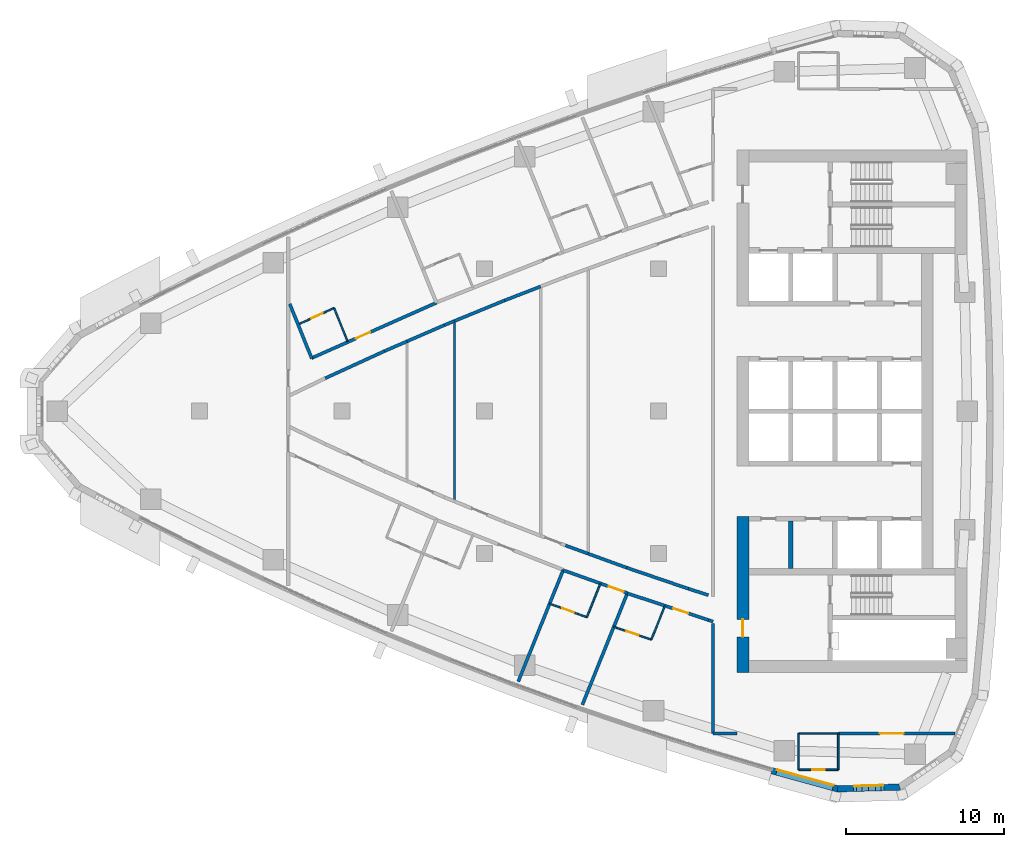
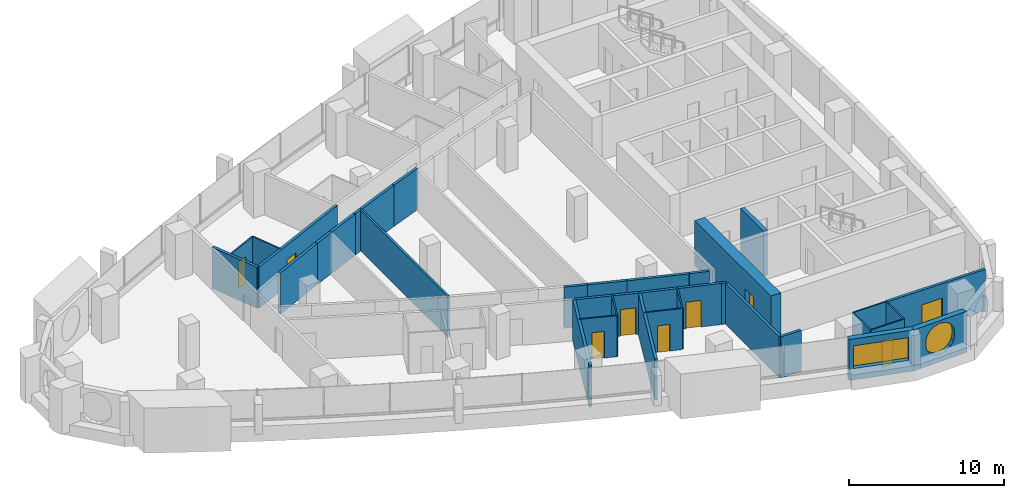
# One storey, part 10 of 17: 35 walls, 9 doors, 2 windows, 11 openings.
"""IFC4 building model written with IfcOpenShell, lengths in metres."""

from ifc_helpers import new_model, si_unit, direction, frame, frame_2d, origin, place, context, subcontext, project, spatial, polyline, rectangle, outline, extrude, material, layer, layer_set, type_object, element, fill, save


model = new_model("IFC4")

# Units and contexts
model_context = context("Model", 3, precision=1e-05, world=origin(), true_north=direction((0.0, 1.0)))
body_context = subcontext(model_context, "Body", "Model", "MODEL_VIEW")
ifc_project = project(units=[si_unit("LENGTHUNIT", "METRE"), si_unit("AREAUNIT", "SQUARE_METRE"), si_unit("VOLUMEUNIT", "CUBIC_METRE"), si_unit("PLANEANGLEUNIT", "RADIAN"), si_unit("MASSUNIT", "GRAM", prefix="KILO")], contexts=[model_context])

# Site, building, storey
site_placement = place(None, origin())
site = spatial("IfcSite", under=ifc_project, at=site_placement, CompositionType="ELEMENT")
building_placement = place(site_placement, origin())
building = spatial("IfcBuilding", under=site, at=building_placement, Name="Ostrand Prow Hotel Tower", CompositionType="ELEMENT")
storey_placement = place(building_placement, frame((0.0, 0.0, 179.050048828125)))
storey = spatial("IfcBuildingStorey", under=building, at=storey_placement, Name="L44", CompositionType="ELEMENT", Elevation=179.050048828125)

# Wall
ifc_material_1 = material(Name="Concrete C60/75", Category="concrete")
ifc_layer_1 = layer(ifc_material_1, 0.300048828125)
ifc_layer_set_1 = layer_set([ifc_layer_1], Name="Concrete C60/75")
wall_type_1 = type_object("IfcWallType", Name="Core wall 300 C60/75", PredefinedType="SHEAR", material=ifc_layer_set_1)
wall_1_placement = place(storey_placement, frame((53.35009765625, -9.949951171875, 0.0), z_axis=(0.0, 0.0, 1.0), x_axis=(0.0, 1.0, 0.0)))
element("IfcWall", 1, at=wall_1_placement, inside=storey, type_object=wall_type_1, Name="Core wall PW-R1-SA", PredefinedType="SHEAR", context=body_context, shape_type="SweptSolid", body=[
    extrude(rectangle(XDim=3.0, YDim=0.300048828125, at=frame_2d((1.5, 0.0))), origin(), (0.0, 0.0, 1.0), 3.550048828125),
])

# Wall, opening, door
ifc_material_2 = material(Name="Concrete C60/75", Category="concrete")
ifc_layer_2 = layer(ifc_material_2, 0.75)
ifc_layer_set_2 = layer_set([ifc_layer_2], Name="Concrete C60/75")
wall_type_2 = type_object("IfcWallType", Name="Core wall 750 C60/75", PredefinedType="SHEAR", material=ifc_layer_set_2)
wall_2_placement = place(storey_placement, frame((50.324951171875, -16.5, 0.0), z_axis=(0.0, 0.0, 1.0), x_axis=(0.0, 1.0, 0.0)))
wall_2 = element("IfcWall", 2, at=wall_2_placement, inside=storey, type_object=wall_type_2, Name="Core wall CW-W-S", PredefinedType="SHEAR", context=body_context, shape_type="SweptSolid", body=[
    extrude(rectangle(XDim=9.85009765625, YDim=0.75, at=frame_2d((4.925048828125, 0.0))), origin(), (0.0, 0.0, 1.0), 3.550048828125),
])
opening_1_placement = place(wall_2_placement, frame((2.25, 0.0, 0.0)))
opening_1 = element("IfcOpeningElement", 3, at=opening_1_placement, cuts=wall_2, Name="Opening FD1", PredefinedType="OPENING", context=body_context, shape_type="SweptSolid", body=[
    extrude(rectangle(XDim=1.10009765625, YDim=2.10009765625, at=frame_2d((0.550048828125, 1.050048828125))), frame((0.0, 0.385009765625, 0.0), z_axis=(0.0, -1.0, 0.0), x_axis=(1.0, 0.0, 0.0)), (0.0, 0.0, 1.0), 0.77001953125),
])
ifc_material_3 = material(Name="Steel fire door", Category="steel")
door_type_1 = type_object("IfcDoorType", Name="Fire door 1100 EI120", OperationType="SINGLE_SWING_RIGHT", PredefinedType="DOOR", material=ifc_material_3)
door_1_placement = place(opening_1_placement, origin())
door_1 = element("IfcDoor", 4, at=door_1_placement, inside=storey, type_object=door_type_1, Name="FIRE DOOR", OperationType="SINGLE_SWING_RIGHT", OverallHeight=2.10009765625, OverallWidth=1.10009765625, PredefinedType="DOOR", context=body_context, shape_type="SweptSolid", body=[
    extrude(rectangle(XDim=1.10009765625, YDim=2.10009765625, at=frame_2d((0.550048828125, 1.050048828125))), frame((0.0, 0.02490234375, 0.0), z_axis=(0.0, -1.0, 0.0), x_axis=(1.0, 0.0, 0.0)), (0.0, 0.0, 1.0), 0.050048828125),
])
fill(opening_1, door_1)

ifc_material_4 = material(Name="Plasterboard partition")
ifc_layer_3 = layer(ifc_material_4, 0.10009765625)
ifc_layer_set_3 = layer_set([ifc_layer_3], Name="Plasterboard partition")
wall_type_3 = type_object("IfcWallType", Name="Partition 100 bathroom wall", PredefinedType="PARTITIONING", material=ifc_layer_set_3)
wall_3_placement = place(storey_placement, frame((56.35009765625, -22.64990234375, 0.0), z_axis=(0.0, 0.0, 1.0), x_axis=(-1.0, 0.0, 0.0)))
wall_3 = element("IfcWall", 5, at=wall_3_placement, inside=storey, type_object=wall_type_3, Name="BATHROOM WALL", PredefinedType="PARTITIONING", context=body_context, shape_type="SweptSolid", body=[
    extrude(rectangle(XDim=2.5, YDim=0.10009765625, at=frame_2d((1.25, 0.0))), origin(), (0.0, 0.0, 1.0), 3.25),
])
opening_2_placement = place(wall_3_placement, frame((0.85009765625, 0.0, 0.0)))
opening_2 = element("IfcOpeningElement", 6, at=opening_2_placement, cuts=wall_3, Name="Opening D2", PredefinedType="OPENING", context=body_context, shape_type="SweptSolid", body=[
    extrude(rectangle(XDim=0.800048828125, YDim=2.10009765625, at=frame_2d((0.39990234375, 1.050048828125))), frame((0.0, 0.06005859375, 0.0), z_axis=(0.0, -1.0, 0.0), x_axis=(1.0, 0.0, 0.0)), (0.0, 0.0, 1.0), 0.1201171875),
])
ifc_material_5 = material(Name="Timber door leaf", Category="wood")
door_type_2 = type_object("IfcDoorType", Name="Bathroom door 800", OperationType="SINGLE_SWING_LEFT", PredefinedType="DOOR", material=ifc_material_5)
door_2_placement = place(opening_2_placement, origin())
door_2 = element("IfcDoor", 7, at=door_2_placement, inside=storey, type_object=door_type_2, Name="DOOR", OperationType="SINGLE_SWING_LEFT", OverallHeight=2.10009765625, OverallWidth=0.800048828125, PredefinedType="DOOR", context=body_context, shape_type="SweptSolid", body=[
    extrude(rectangle(XDim=0.800048828125, YDim=2.10009765625, at=frame_2d((0.39990234375, 1.050048828125))), frame((0.0, 0.02490234375, 0.0), z_axis=(0.0, -1.0, 0.0), x_axis=(1.0, 0.0, 0.0)), (0.0, 0.0, 1.0), 0.050048828125),
])
fill(opening_2, door_2)

# Walls
for number, where, z_axis, x_axis, name in (
    (8, (53.85009765625, -22.64990234375, 0.0), (0.0, 0.0, 1.0), (0.0, 1.0, 0.0), "BATHROOM WALL"),
    (9, (56.35009765625, -20.35009765625, 0.0), (0.0, 0.0, 1.0), (0.0, -1.0, 0.0), "BATHROOM WALL"),
):
    element("IfcWall", number, at=place(storey_placement, frame(where, z_axis=z_axis, x_axis=x_axis)), inside=storey, type_object=wall_type_3, Name=name, PredefinedType="PARTITIONING", context=body_context, shape_type="SweptSolid", body=[
        extrude(rectangle(XDim=2.2998046875, YDim=0.10009765625, at=frame_2d((1.14990234375, 0.0))), origin(), (0.0, 0.0, 1.0), 3.25),
    ])

# Wall, opening, door
wall_4_placement = place(storey_placement, frame((22.32958984375, 5.518310546875, 0.0), z_axis=(0.0, 0.0, 1.0), x_axis=(0.909209708064, 0.416338452178, 0.0)))
wall_4 = element("IfcWall", 10, at=wall_4_placement, inside=storey, type_object=wall_type_3, Name="BATHROOM WALL", PredefinedType="PARTITIONING", context=body_context, shape_type="SweptSolid", body=[
    extrude(rectangle(XDim=2.392578125, YDim=0.10009765625, at=frame_2d((1.1962890625, 0.0))), origin(), (0.0, 0.0, 1.0), 3.25),
])
opening_3_placement = place(wall_4_placement, frame((0.800048828125, 0.0, 0.0)))
opening_3 = element("IfcOpeningElement", 11, at=opening_3_placement, cuts=wall_4, Name="Opening D2", PredefinedType="OPENING", context=body_context, shape_type="SweptSolid", body=[
    extrude(rectangle(XDim=0.800048828125, YDim=2.10009765625, at=frame_2d((0.39990234375, 1.050048828125))), frame((0.0, 0.06005859375, 0.0), z_axis=(0.0, -1.0, 0.0), x_axis=(1.0, 0.0, 0.0)), (0.0, 0.0, 1.0), 0.1201171875),
])
door_3_placement = place(opening_3_placement, origin())
door_3 = element("IfcDoor", 12, at=door_3_placement, inside=storey, type_object=door_type_2, Name="DOOR", OperationType="SINGLE_SWING_LEFT", OverallHeight=2.10009765625, OverallWidth=0.800048828125, PredefinedType="DOOR", context=body_context, shape_type="SweptSolid", body=[
    extrude(rectangle(XDim=0.800048828125, YDim=2.10009765625, at=frame_2d((0.39990234375, 1.050048828125))), frame((0.0, 0.02490234375, 0.0), z_axis=(0.0, -1.0, 0.0), x_axis=(1.0, 0.0, 0.0)), (0.0, 0.0, 1.0), 0.050048828125),
])
fill(opening_3, door_3)

# Walls
wall_5_placement = place(storey_placement, frame((24.5048828125, 6.514404296875, 0.0), z_axis=(0.0, 0.0, 1.0), x_axis=(0.373919298041, -0.927461243693, 0.0)))
element("IfcWall", 13, at=wall_5_placement, inside=storey, type_object=wall_type_3, Name="BATHROOM WALL", PredefinedType="PARTITIONING", context=body_context, shape_type="SweptSolid", body=[
    extrude(rectangle(XDim=2.279296875, YDim=0.10009765625, at=frame_2d((1.1396484375, 0.0))), origin(), (0.0, 0.0, 1.0), 3.25),
])
wall_6_placement = place(storey_placement, frame((41.322021484375, -10.90283203125, 0.0), z_axis=(0.0, 0.0, 1.0), x_axis=(-0.373846436826, -0.927490615409, 0.0)))
element("IfcWall", 14, at=wall_6_placement, inside=storey, type_object=wall_type_3, Name="BATHROOM WALL", PredefinedType="PARTITIONING", context=body_context, shape_type="SweptSolid", body=[
    extrude(rectangle(XDim=2.278564453125, YDim=0.10009765625, at=frame_2d((1.13916015625, 0.0))), origin(), (0.0, 0.0, 1.0), 3.25),
])

# Wall, opening, door
wall_7_placement = place(storey_placement, frame((40.47021484375, -13.01611328125, 0.0), z_axis=(0.0, 0.0, 1.0), x_axis=(-0.939744972593, 0.341876273652, 0.0)))
wall_7 = element("IfcWall", 15, at=wall_7_placement, inside=storey, type_object=wall_type_3, Name="BATHROOM WALL", PredefinedType="PARTITIONING", context=body_context, shape_type="SweptSolid", body=[
    extrude(rectangle(XDim=2.50146484375, YDim=0.10009765625, at=frame_2d((1.250732421875, 0.0))), origin(), (0.0, 0.0, 1.0), 3.25),
])
opening_4_placement = place(wall_7_placement, frame((0.85009765625, 0.0, 0.0)))
opening_4 = element("IfcOpeningElement", 16, at=opening_4_placement, cuts=wall_7, Name="Opening D2", PredefinedType="OPENING", context=body_context, shape_type="SweptSolid", body=[
    extrude(rectangle(XDim=0.800048828125, YDim=2.10009765625, at=frame_2d((0.39990234375, 1.050048828125))), frame((0.0, 0.06005859375, 0.0), z_axis=(0.0, -1.0, 0.0), x_axis=(1.0, 0.0, 0.0)), (0.0, 0.0, 1.0), 0.1201171875),
])
door_4_placement = place(opening_4_placement, origin())
door_4 = element("IfcDoor", 17, at=door_4_placement, inside=storey, type_object=door_type_2, Name="DOOR", OperationType="SINGLE_SWING_LEFT", OverallHeight=2.10009765625, OverallWidth=0.800048828125, PredefinedType="DOOR", context=body_context, shape_type="SweptSolid", body=[
    extrude(rectangle(XDim=0.800048828125, YDim=2.10009765625, at=frame_2d((0.39990234375, 1.050048828125))), frame((0.0, 0.02490234375, 0.0), z_axis=(0.0, -1.0, 0.0), x_axis=(1.0, 0.0, 0.0)), (0.0, 0.0, 1.0), 0.050048828125),
])
fill(opening_4, door_4)

# Wall
wall_8_placement = place(storey_placement, frame((45.39453125, -12.318359375, 0.0), z_axis=(0.0, 0.0, 1.0), x_axis=(-0.373917841166, -0.927461831052, 0.0)))
element("IfcWall", 18, at=wall_8_placement, inside=storey, type_object=wall_type_3, Name="BATHROOM WALL", PredefinedType="PARTITIONING", context=body_context, shape_type="SweptSolid", body=[
    extrude(rectangle(XDim=2.28076171875, YDim=0.10009765625, at=frame_2d((1.140380859375, 0.0))), origin(), (0.0, 0.0, 1.0), 3.25),
])

# Wall, opening, door
wall_9_placement = place(storey_placement, frame((44.541748046875, -14.43359375, 0.0), z_axis=(0.0, 0.0, 1.0), x_axis=(-0.946406575113, 0.322977699822, 0.0)))
wall_9 = element("IfcWall", 19, at=wall_9_placement, inside=storey, type_object=wall_type_3, Name="BATHROOM WALL", PredefinedType="PARTITIONING", context=body_context, shape_type="SweptSolid", body=[
    extrude(rectangle(XDim=2.503662109375, YDim=0.10009765625, at=frame_2d((1.251953125, 0.0))), origin(), (0.0, 0.0, 1.0), 3.25),
])
opening_5_placement = place(wall_9_placement, frame((0.85009765625, 0.0, 0.0)))
opening_5 = element("IfcOpeningElement", 20, at=opening_5_placement, cuts=wall_9, Name="Opening D2", PredefinedType="OPENING", context=body_context, shape_type="SweptSolid", body=[
    extrude(rectangle(XDim=0.800048828125, YDim=2.10009765625, at=frame_2d((0.39990234375, 1.050048828125))), frame((0.0, 0.06005859375, 0.0), z_axis=(0.0, -1.0, 0.0), x_axis=(1.0, 0.0, 0.0)), (0.0, 0.0, 1.0), 0.1201171875),
])
door_5_placement = place(opening_5_placement, origin())
door_5 = element("IfcDoor", 21, at=door_5_placement, inside=storey, type_object=door_type_2, Name="DOOR", OperationType="SINGLE_SWING_LEFT", OverallHeight=2.10009765625, OverallWidth=0.800048828125, PredefinedType="DOOR", context=body_context, shape_type="SweptSolid", body=[
    extrude(rectangle(XDim=0.800048828125, YDim=2.10009765625, at=frame_2d((0.39990234375, 1.050048828125))), frame((0.0, 0.02490234375, 0.0), z_axis=(0.0, -1.0, 0.0), x_axis=(1.0, 0.0, 0.0)), (0.0, 0.0, 1.0), 0.050048828125),
])
fill(opening_5, door_5)

# Walls
wall_10_placement = place(storey_placement, frame((53.85009765625, -20.35498046875, 0.0), z_axis=(0.0, 0.0, 1.0), x_axis=(1.0, 0.0, 0.0)))
element("IfcWall", 22, at=wall_10_placement, inside=storey, type_object=wall_type_3, Name="BATHROOM WALL", PredefinedType="PARTITIONING", context=body_context, shape_type="SweptSolid", body=[
    extrude(rectangle(XDim=2.5, YDim=0.10009765625, at=frame_2d((1.25, 0.0))), origin(), (0.0, 0.0, 1.0), 3.25),
])
ifc_material_6 = material(Name="Plasterboard partition")
ifc_layer_4 = layer(ifc_material_6, 0.14990234375)
ifc_layer_set_4 = layer_set([ifc_layer_4], Name="Plasterboard partition")
wall_type_4 = type_object("IfcWallType", Name="Partition 150 room partition", PredefinedType="PARTITIONING", material=ifc_layer_set_4)
wall_11_placement = place(storey_placement, frame((32.11328125, -5.697265625, 0.0), z_axis=(0.0, 0.0, 1.0), x_axis=(0.0, 1.0, 0.0)))
element("IfcWall", 23, at=wall_11_placement, inside=storey, type_object=wall_type_4, Name="ROOM PARTITION", PredefinedType="PARTITIONING", context=body_context, shape_type="SweptSolid", body=[
    extrude(rectangle(XDim=11.39453125, YDim=0.14990234375, at=frame_2d((5.697265625, 0.0))), origin(), (0.0, 0.0, 1.0), 3.25),
])

# Wall, opening, door
ifc_material_7 = material(Name="Plasterboard partition")
ifc_layer_5 = layer(ifc_material_7, 0.199951171875)
ifc_layer_set_5 = layer_set([ifc_layer_5], Name="Plasterboard partition")
wall_type_5 = type_object("IfcWallType", Name="Partition 200 corridor wall", PredefinedType="PARTITIONING", material=ifc_layer_set_5)
wall_12_placement = place(storey_placement, frame((23.084716796875, 3.35107421875, 0.0), z_axis=(0.0, 0.0, 1.0), x_axis=(0.914065936171, 0.405565610392, 0.0)))
wall_12 = element("IfcWall", 24, at=wall_12_placement, inside=storey, type_object=wall_type_5, Name="CORRIDOR WALL", PredefinedType="PARTITIONING", context=body_context, shape_type="SweptSolid", body=[
    extrude(rectangle(XDim=8.62158203125, YDim=0.199951171875, at=frame_2d((4.310791015625, 0.0))), origin(), (0.0, 0.0, 1.0), 3.25),
])
opening_6_placement = place(wall_12_placement, frame((3.050048828125, 0.0, 0.0)))
opening_6 = element("IfcOpeningElement", 25, at=opening_6_placement, cuts=wall_12, Name="Opening D1R", PredefinedType="OPENING", context=body_context, shape_type="SweptSolid", body=[
    extrude(rectangle(XDim=1.0, YDim=2.10009765625, at=frame_2d((0.5, 1.050048828125))), frame((0.0, 0.10986328125, 0.0), z_axis=(0.0, -1.0, 0.0), x_axis=(1.0, 0.0, 0.0)), (0.0, 0.0, 1.0), 0.219970703125),
])
ifc_material_8 = material(Name="Timber door leaf", Category="wood")
door_type_3 = type_object("IfcDoorType", Name="Guest room door 1000 right", OperationType="SINGLE_SWING_RIGHT", PredefinedType="DOOR", material=ifc_material_8)
door_6_placement = place(opening_6_placement, origin())
door_6 = element("IfcDoor", 26, at=door_6_placement, inside=storey, type_object=door_type_3, Name="DOOR", OperationType="SINGLE_SWING_RIGHT", OverallHeight=2.10009765625, OverallWidth=1.0, PredefinedType="DOOR", context=body_context, shape_type="SweptSolid", body=[
    extrude(rectangle(XDim=1.0, YDim=2.10009765625, at=frame_2d((0.5, 1.050048828125))), frame((0.0, 0.02490234375, 0.0), z_axis=(0.0, -1.0, 0.0), x_axis=(1.0, 0.0, 0.0)), (0.0, 0.0, 1.0), 0.050048828125),
])
fill(opening_6, door_6)

wall_13_placement = place(storey_placement, frame((38.972412109375, -10.044921875, 0.0), z_axis=(0.0, 0.0, 1.0), x_axis=(0.942220252757, -0.334994022773, 0.0)))
wall_13 = element("IfcWall", 27, at=wall_13_placement, inside=storey, type_object=wall_type_5, Name="CORRIDOR WALL", PredefinedType="PARTITIONING", context=body_context, shape_type="SweptSolid", body=[
    extrude(rectangle(XDim=4.31005859375, YDim=0.199951171875, at=frame_2d((2.155029296875, 0.0))), origin(), (0.0, 0.0, 1.0), 3.25),
])
opening_7_placement = place(wall_13_placement, frame((3.050048828125, 0.0, 0.0)))
opening_7 = element("IfcOpeningElement", 28, at=opening_7_placement, cuts=wall_13, Name="Opening D1", PredefinedType="OPENING", context=body_context, shape_type="SweptSolid", body=[
    extrude(rectangle(XDim=1.0, YDim=2.10009765625, at=frame_2d((0.5, 1.050048828125))), frame((0.0, 0.10986328125, 0.0), z_axis=(0.0, -1.0, 0.0), x_axis=(1.0, 0.0, 0.0)), (0.0, 0.0, 1.0), 0.219970703125),
])
ifc_material_9 = material(Name="Timber door leaf", Category="wood")
door_type_4 = type_object("IfcDoorType", Name="Guest room door 1000", OperationType="SINGLE_SWING_LEFT", PredefinedType="DOOR", material=ifc_material_9)
door_7_placement = place(opening_7_placement, origin())
door_7 = element("IfcDoor", 29, at=door_7_placement, inside=storey, type_object=door_type_4, Name="DOOR", OperationType="SINGLE_SWING_LEFT", OverallHeight=2.10009765625, OverallWidth=1.0, PredefinedType="DOOR", context=body_context, shape_type="SweptSolid", body=[
    extrude(rectangle(XDim=1.0, YDim=2.10009765625, at=frame_2d((0.5, 1.050048828125))), frame((0.0, 0.02490234375, 0.0), z_axis=(0.0, -1.0, 0.0), x_axis=(1.0, 0.0, 0.0)), (0.0, 0.0, 1.0), 0.050048828125),
])
fill(opening_7, door_7)

# Walls
wall_14_placement = place(storey_placement, frame((23.946533203125, 2.0791015625, 0.0), z_axis=(0.0, 0.0, 1.0), x_axis=(0.909180834404, 0.416401501382, 0.0)))
element("IfcWall", 30, at=wall_14_placement, inside=storey, type_object=wall_type_5, Name="CORRIDOR WALL", PredefinedType="PARTITIONING", context=body_context, shape_type="SweptSolid", body=[
    extrude(rectangle(XDim=4.1171875, YDim=0.199951171875, at=frame_2d((2.05859375, 0.0))), origin(), (0.0, 0.0, 1.0), 3.25),
])
wall_15_placement = place(storey_placement, frame((27.689697265625, 3.79345703125, 0.0), z_axis=(0.0, 0.0, 1.0), x_axis=(0.917369942083, 0.398035663431, 0.0)))
element("IfcWall", 31, at=wall_15_placement, inside=storey, type_object=wall_type_5, Name="CORRIDOR WALL", PredefinedType="PARTITIONING", context=body_context, shape_type="SweptSolid", body=[
    extrude(rectangle(XDim=1.5517578125, YDim=0.199951171875, at=frame_2d((0.77587890625, 0.0))), origin(), (0.0, 0.0, 1.0), 3.25),
])
wall_16_placement = place(storey_placement, frame((29.11328125, 4.4111328125, 0.0), z_axis=(0.0, 0.0, 1.0), x_axis=(0.91737845263, 0.398016048231, 0.0)))
element("IfcWall", 32, at=wall_16_placement, inside=storey, type_object=wall_type_5, Name="CORRIDOR WALL", PredefinedType="PARTITIONING", context=body_context, shape_type="SweptSolid", body=[
    extrude(rectangle(XDim=2.565185546875, YDim=0.199951171875, at=frame_2d((1.28271484375, 0.0))), origin(), (0.0, 0.0, 1.0), 3.25),
])
wall_17_placement = place(storey_placement, frame((31.466552734375, 5.43212890625, 0.0), z_axis=(0.0, 0.0, 1.0), x_axis=(0.92526293873, 0.379326368992, 0.0)))
element("IfcWall", 33, at=wall_17_placement, inside=storey, type_object=wall_type_5, Name="CORRIDOR WALL", PredefinedType="PARTITIONING", context=body_context, shape_type="SweptSolid", body=[
    extrude(rectangle(XDim=0.698974609375, YDim=0.199951171875, at=frame_2d((0.349609375, 0.0))), origin(), (0.0, 0.0, 1.0), 3.25),
])
wall_18_placement = place(storey_placement, frame((35.275634765625, 6.994384765625, 0.0), z_axis=(0.0, 0.0, 1.0), x_axis=(0.932674754549, 0.36071845285, 0.0)))
element("IfcWall", 34, at=wall_18_placement, inside=storey, type_object=wall_type_5, Name="CORRIDOR WALL", PredefinedType="PARTITIONING", context=body_context, shape_type="SweptSolid", body=[
    extrude(rectangle(XDim=2.435302734375, YDim=0.199951171875, at=frame_2d((1.2177734375, 0.0))), origin(), (0.0, 0.0, 1.0), 3.25),
])
wall_19_placement = place(storey_placement, frame((32.11328125, 5.697265625, 0.0), z_axis=(0.0, 0.0, 1.0), x_axis=(0.925194984271, 0.379492083026, 0.0)))
element("IfcWall", 35, at=wall_19_placement, inside=storey, type_object=wall_type_5, Name="CORRIDOR WALL", PredefinedType="PARTITIONING", context=body_context, shape_type="SweptSolid", body=[
    extrude(rectangle(XDim=3.41796875, YDim=0.199951171875, at=frame_2d((1.708984375, 0.0))), origin(), (0.0, 0.0, 1.0), 3.25),
])
wall_20_placement = place(storey_placement, frame((40.546875, -9.000244140625, 0.0), z_axis=(0.0, 0.0, 1.0), x_axis=(-0.939741934926, 0.341884623435, 0.0)))
element("IfcWall", 36, at=wall_20_placement, inside=storey, type_object=wall_type_5, Name="CORRIDOR WALL", PredefinedType="PARTITIONING", context=body_context, shape_type="SweptSolid", body=[
    extrude(rectangle(XDim=1.523193359375, YDim=0.199951171875, at=frame_2d((0.76171875, 0.0))), origin(), (0.0, 0.0, 1.0), 3.25),
])
wall_21_placement = place(storey_placement, frame((46.880859375, -11.216552734375, 0.0), z_axis=(0.0, 0.0, 1.0), x_axis=(-0.946436071896, 0.322891253852, 0.0)))
element("IfcWall", 37, at=wall_21_placement, inside=storey, type_object=wall_type_5, Name="CORRIDOR WALL", PredefinedType="PARTITIONING", context=body_context, shape_type="SweptSolid", body=[
    extrude(rectangle(XDim=4.116943359375, YDim=0.199951171875, at=frame_2d((2.05859375, 0.0))), origin(), (0.0, 0.0, 1.0), 3.25),
])
wall_22_placement = place(storey_placement, frame((42.984375, -9.88720703125, 0.0), z_axis=(0.0, 0.0, 1.0), x_axis=(-0.939719202565, 0.341947101655, 0.0)))
element("IfcWall", 38, at=wall_22_placement, inside=storey, type_object=wall_type_5, Name="CORRIDOR WALL", PredefinedType="PARTITIONING", context=body_context, shape_type="SweptSolid", body=[
    extrude(rectangle(XDim=2.59375, YDim=0.199951171875, at=frame_2d((1.296875, 0.0))), origin(), (0.0, 0.0, 1.0), 3.25),
])

# Wall, opening, door
wall_23_placement = place(storey_placement, frame((56.35498046875, -20.35498046875, 0.0), z_axis=(0.0, 0.0, 1.0), x_axis=(1.0, 0.0, 0.0)))
wall_23 = element("IfcWall", 39, at=wall_23_placement, inside=storey, type_object=wall_type_5, Name="CORRIDOR WALL", PredefinedType="PARTITIONING", context=body_context, shape_type="SweptSolid", body=[
    extrude(rectangle(XDim=7.3544921875, YDim=0.199951171875, at=frame_2d((3.67724609375, 0.0))), origin(), (0.0, 0.0, 1.0), 3.25),
])
opening_8_placement = place(wall_23_placement, frame((2.623779296875, 0.0, 0.0)))
opening_8 = element("IfcOpeningElement", 40, at=opening_8_placement, cuts=wall_23, Name="Opening D15", PredefinedType="OPENING", context=body_context, shape_type="SweptSolid", body=[
    extrude(rectangle(XDim=1.5, YDim=2.10009765625, at=frame_2d((0.75, 1.050048828125))), frame((0.0, 0.10986328125, 0.0), z_axis=(0.0, -1.0, 0.0), x_axis=(1.0, 0.0, 0.0)), (0.0, 0.0, 1.0), 0.219970703125),
])
ifc_material_10 = material(Name="Timber door leaf", Category="wood")
door_type_5 = type_object("IfcDoorType", Name="Double door 1500", OperationType="DOUBLE_DOOR_SINGLE_SWING", PredefinedType="DOOR", material=ifc_material_10)
door_8_placement = place(opening_8_placement, origin())
door_8 = element("IfcDoor", 41, at=door_8_placement, inside=storey, type_object=door_type_5, Name="DOOR", OperationType="DOUBLE_DOOR_SINGLE_SWING", OverallHeight=2.10009765625, OverallWidth=1.5, PredefinedType="DOOR", context=body_context, shape_type="SweptSolid", body=[
    extrude(rectangle(XDim=1.5, YDim=2.10009765625, at=frame_2d((0.75, 1.050048828125))), frame((0.0, 0.02490234375, 0.0), z_axis=(0.0, -1.0, 0.0), x_axis=(1.0, 0.0, 0.0)), (0.0, 0.0, 1.0), 0.050048828125),
])
fill(opening_8, door_8)

wall_24_placement = place(storey_placement, frame((43.02587890625, -11.50732421875, 0.0), z_axis=(0.0, 0.0, 1.0), x_axis=(0.949951949432, -0.312396052744, 0.0)))
wall_24 = element("IfcWall", 42, at=wall_24_placement, inside=storey, type_object=wall_type_5, Name="CORRIDOR WALL", PredefinedType="PARTITIONING", context=body_context, shape_type="SweptSolid", body=[
    extrude(rectangle(XDim=5.39404296875, YDim=0.199951171875, at=frame_2d((2.697021484375, 0.0))), origin(), (0.0, 0.0, 1.0), 3.25),
])
opening_9_placement = place(wall_24_placement, frame((3.050048828125, 0.0, 0.0)))
opening_9 = element("IfcOpeningElement", 43, at=opening_9_placement, cuts=wall_24, Name="Opening D1", PredefinedType="OPENING", context=body_context, shape_type="SweptSolid", body=[
    extrude(rectangle(XDim=1.0, YDim=2.10009765625, at=frame_2d((0.5, 1.050048828125))), frame((0.0, 0.10986328125, 0.0), z_axis=(0.0, -1.0, 0.0), x_axis=(1.0, 0.0, 0.0)), (0.0, 0.0, 1.0), 0.219970703125),
])
door_9_placement = place(opening_9_placement, origin())
door_9 = element("IfcDoor", 44, at=door_9_placement, inside=storey, type_object=door_type_4, Name="DOOR", OperationType="SINGLE_SWING_LEFT", OverallHeight=2.10009765625, OverallWidth=1.0, PredefinedType="DOOR", context=body_context, shape_type="SweptSolid", body=[
    extrude(rectangle(XDim=1.0, YDim=2.10009765625, at=frame_2d((0.5, 1.050048828125))), frame((0.0, 0.02490234375, 0.0), z_axis=(0.0, -1.0, 0.0), x_axis=(1.0, 0.0, 0.0)), (0.0, 0.0, 1.0), 0.050048828125),
])
fill(opening_9, door_9)

# Walls
wall_25_placement = place(storey_placement, frame((48.14990234375, -11.62109375, 0.0), z_axis=(0.0, 0.0, 1.0), x_axis=(-0.952761948983, 0.303718074157, 0.0)))
element("IfcWall", 45, at=wall_25_placement, inside=storey, type_object=wall_type_5, Name="CORRIDOR WALL", PredefinedType="PARTITIONING", context=body_context, shape_type="SweptSolid", body=[
    extrude(rectangle(XDim=1.33203125, YDim=0.199951171875, at=frame_2d((0.666015625, 0.0))), origin(), (0.0, 0.0, 1.0), 3.25),
])
wall_26_placement = place(storey_placement, frame((48.14990234375, -13.1923828125, 0.0), z_axis=(0.0, 0.0, 1.0), x_axis=(0.944623214561, -0.328156947987, 0.0)))
element("IfcWall", 46, at=wall_26_placement, inside=storey, type_object=wall_type_5, Name="CORRIDOR WALL", PredefinedType="PARTITIONING", context=body_context, shape_type="SweptSolid", body=[
    extrude(rectangle(XDim=0.3125, YDim=0.199951171875, at=frame_2d((0.15625, 0.0))), origin(), (0.0, 0.0, 1.0), 3.25),
])
wall_27_placement = place(storey_placement, frame((48.445068359375, -13.414794921875, 0.0), z_axis=(0.0, 0.0, 1.0), x_axis=(3.5195157e-05, -0.999999999381, 0.0)))
element("IfcWall", 47, at=wall_27_placement, inside=storey, type_object=wall_type_5, Name="CORRIDOR WALL", PredefinedType="PARTITIONING", context=body_context, shape_type="SweptSolid", body=[
    extrude(rectangle(XDim=6.936767578125, YDim=0.199951171875, at=frame_2d((3.46826171875, 0.0))), origin(), (0.0, 0.0, 1.0), 3.25),
])
wall_28_placement = place(storey_placement, frame((48.4453125, -20.3515625, 0.0), z_axis=(0.0, 0.0, 1.0), x_axis=(0.999997403051, -0.002279010849, 0.0)))
element("IfcWall", 48, at=wall_28_placement, inside=storey, type_object=wall_type_5, Name="CORRIDOR WALL", PredefinedType="PARTITIONING", context=body_context, shape_type="SweptSolid", body=[
    extrude(rectangle(XDim=1.499755859375, YDim=0.199951171875, at=frame_2d((0.75, 0.0))), origin(), (0.0, 0.0, 1.0), 3.25),
])
ifc_material_11 = material(Name="Plasterboard partition")
ifc_layer_6 = layer(ifc_material_11, 0.199951171875)
ifc_layer_set_6 = layer_set([ifc_layer_6], Name="Plasterboard partition")
wall_type_6 = type_object("IfcWallType", Name="Partition 200 key partition", PredefinedType="PARTITIONING", material=ifc_layer_set_6)
wall_29_placement = place(storey_placement, frame((23.09228515625, 3.33251953125, 0.0), z_axis=(0.0, 0.0, 1.0), x_axis=(-0.373883495288, 0.927475677283, 0.0)))
element("IfcWall", 49, at=wall_29_placement, inside=storey, type_object=wall_type_6, Name="KEY PARTITION", PredefinedType="PARTITIONING", context=body_context, shape_type="SweptSolid", body=[
    extrude(rectangle(XDim=3.712890625, YDim=0.199951171875, at=frame_2d((1.8564453125, 0.0))), origin(), (0.0, 0.0, 1.0), 3.25),
])
wall_30_placement = place(storey_placement, frame((36.13671875, -17.079345703125, 0.0), z_axis=(0.0, 0.0, 1.0), x_axis=(0.373863662938, 0.927483671843, 0.0)))
element("IfcWall", 50, at=wall_30_placement, inside=storey, type_object=wall_type_6, Name="KEY PARTITION", PredefinedType="PARTITIONING", context=body_context, shape_type="SweptSolid", body=[
    extrude(rectangle(XDim=7.6044921875, YDim=0.199951171875, at=frame_2d((3.80224609375, 0.0))), origin(), (0.0, 0.0, 1.0), 3.25),
])
wall_31_placement = place(storey_placement, frame((40.187744140625, -18.548095703125, 0.0), z_axis=(0.0, 0.0, 1.0), x_axis=(0.373877998371, 0.927477893178, 0.0)))
element("IfcWall", 51, at=wall_31_placement, inside=storey, type_object=wall_type_6, Name="KEY PARTITION", PredefinedType="PARTITIONING", context=body_context, shape_type="SweptSolid", body=[
    extrude(rectangle(XDim=7.611328125, YDim=0.199951171875, at=frame_2d((3.8056640625, 0.0))), origin(), (0.0, 0.0, 1.0), 3.25),
])

# Wall, opening, window
ifc_material_12 = material(Name="Precast concrete C40/50", Category="concrete")
ifc_layer_7 = layer(ifc_material_12, 0.39990234375)
ifc_layer_set_7 = layer_set([ifc_layer_7], Name="Precast concrete C40/50")
wall_type_7 = type_object("IfcWallType", Name="Stone-faced precast wall 400 mm", PredefinedType="NOTDEFINED", material=ifc_layer_set_7)
wall_32_placement = place(storey_placement, frame((52.15478515625, -22.7158203125, 0.0), z_axis=(0.0, 0.0, 1.0), x_axis=(0.964205755089, -0.265155165617, 0.0)))
wall_32 = element("IfcWall", 52, at=wall_32_placement, inside=storey, type_object=wall_type_7, Name="Stone-faced wall back 1", PredefinedType="NOTDEFINED", context=body_context, shape_type="SweptSolid", body=[
    extrude(outline(polyline([(0.0, -0.199951171875), (4.3369140625, -0.199951171875), (4.27734375, 0.199951171875), (0.0, 0.199951171875), (0.0, -0.199951171875)])), origin(), (0.0, 0.0, 1.0), 3.25),
])
opening_10_placement = place(wall_32_placement, frame((0.303466796875, 0.0, 0.89990234375)))
opening_10 = element("IfcOpeningElement", 53, at=opening_10_placement, cuts=wall_32, Name="Opening WS3-37", PredefinedType="OPENING", context=body_context, shape_type="SweptSolid", body=[
    extrude(rectangle(XDim=3.699951171875, YDim=1.800048828125, at=frame_2d((1.85009765625, 0.89990234375))), frame((0.0, 0.2099609375, 0.0), z_axis=(0.0, -1.0, 0.0), x_axis=(1.0, 0.0, 0.0)), (0.0, 0.0, 1.0), 0.419921875),
])
ifc_material_13 = material(Name="Insulated glass in bronze frame", Category="glass")
window_type_1 = type_object("IfcWindowType", Name="Strip window 3700x1800", PartitioningType="SINGLE_PANEL", PredefinedType="WINDOW", material=ifc_material_13)
window_1_placement = place(opening_10_placement, origin())
window_1 = element("IfcWindow", 54, at=window_1_placement, inside=storey, type_object=window_type_1, Name="Window back 1.1", OverallHeight=1.800048828125, OverallWidth=3.699951171875, PartitioningType="SINGLE_PANEL", PredefinedType="WINDOW", context=body_context, shape_type="SweptSolid", body=[
    extrude(rectangle(XDim=3.699951171875, YDim=1.800048828125, at=frame_2d((1.85009765625, 0.89990234375))), frame((0.0, 0.169921875, 0.0), z_axis=(0.0, -1.0, 0.0), x_axis=(1.0, 0.0, 0.0)), (0.0, 0.0, 1.0), 0.06005859375),
])
fill(opening_10, window_1)

wall_33_placement = place(storey_placement, frame((56.307861328125, -23.85791015625, 0.0), z_axis=(0.0, 0.0, 1.0), x_axis=(0.999587920197, 0.028705222472, 0.0)))
wall_33 = element("IfcWall", 55, at=wall_33_placement, inside=storey, type_object=wall_type_7, Name="Stone-faced wall back 2", PredefinedType="NOTDEFINED", context=body_context, shape_type="SweptSolid", body=[
    extrude(outline(polyline([(-0.02978515625, -0.199951171875), (3.988525390625, -0.199951171875), (3.870361328125, 0.199951171875), (0.02978515625, 0.199951171875), (-0.02978515625, -0.199951171875)])), origin(), (0.0, 0.0, 1.0), 3.25),
])
opening_11_placement = place(wall_33_placement, frame((0.864501953125, 0.0, 0.60009765625)))
opening_11 = element("IfcOpeningElement", 56, at=opening_11_placement, cuts=wall_33, Name="Opening WP1", PredefinedType="OPENING", context=body_context, shape_type="SweptSolid", body=[
    extrude(outline(polyline([(0.0, 1.35009765625), (0.083740234375, 1.77099609375), (0.322265625, 2.127685546875), (0.678955078125, 2.3662109375), (1.10009765625, 2.449951171875), (1.52099609375, 2.3662109375), (1.877685546875, 2.127685546875), (2.1162109375, 1.77099609375), (2.199951171875, 1.35009765625), (2.199951171875, 1.10009765625), (2.1162109375, 0.678955078125), (1.877685546875, 0.322265625), (1.52099609375, 0.083740234375), (1.10009765625, 0.0), (0.678955078125, 0.083740234375), (0.322265625, 0.322265625), (0.083740234375, 0.678955078125), (0.0, 1.099853515625), (0.0, 1.35009765625)])), frame((0.0, 0.2099609375, 0.0), z_axis=(0.0, -1.0, 0.0), x_axis=(1.0, 0.0, 0.0)), (0.0, 0.0, 1.0), 0.419921875),
])
ifc_material_14 = material(Name="Insulated glass in bronze frame", Category="glass")
window_type_2 = type_object("IfcWindowType", Name="Round-ended prow window 2200x2450", PartitioningType="SINGLE_PANEL", PredefinedType="WINDOW", material=ifc_material_14)
window_2_placement = place(opening_11_placement, origin())
window_2 = element("IfcWindow", 57, at=window_2_placement, inside=storey, type_object=window_type_2, Name="Window back 2.1", OverallHeight=2.449951171875, OverallWidth=2.199951171875, PartitioningType="SINGLE_PANEL", PredefinedType="WINDOW", context=body_context, shape_type="SweptSolid", body=[
    extrude(outline(polyline([(0.0, 1.35009765625), (0.083740234375, 1.77099609375), (0.322265625, 2.127685546875), (0.678955078125, 2.3662109375), (1.10009765625, 2.449951171875), (1.52099609375, 2.3662109375), (1.877685546875, 2.127685546875), (2.1162109375, 1.77099609375), (2.199951171875, 1.35009765625), (2.199951171875, 1.10009765625), (2.1162109375, 0.678955078125), (1.877685546875, 0.322265625), (1.52099609375, 0.083740234375), (1.10009765625, 0.0), (0.678955078125, 0.083740234375), (0.322265625, 0.322265625), (0.083740234375, 0.678955078125), (0.0, 1.099853515625), (0.0, 1.35009765625)])), frame((0.0, 0.169921875, 0.0), z_axis=(0.0, -1.0, 0.0), x_axis=(1.0, 0.0, 0.0)), (0.0, 0.0, 1.0), 0.06005859375),
])
fill(opening_11, window_2)

save(model, "model.ifc")
